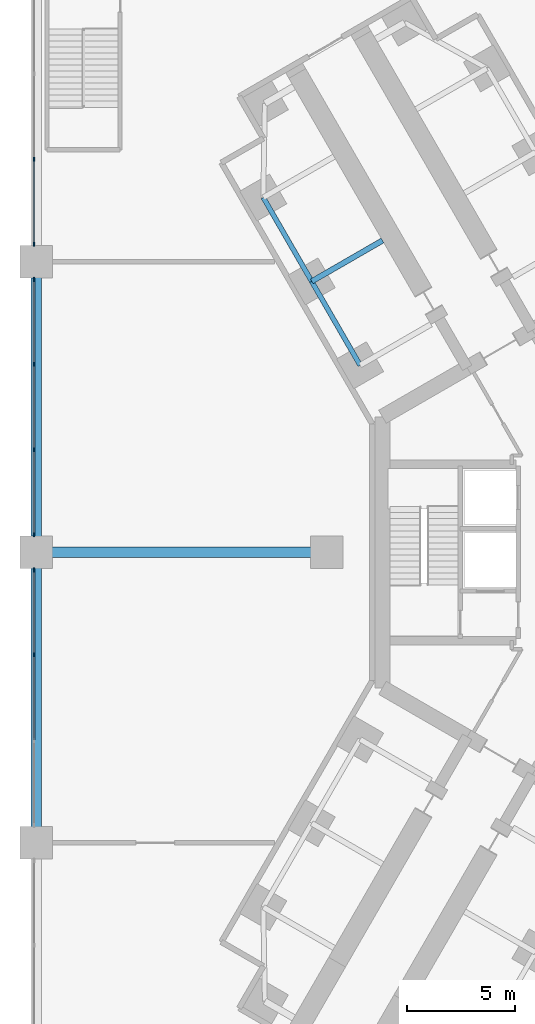
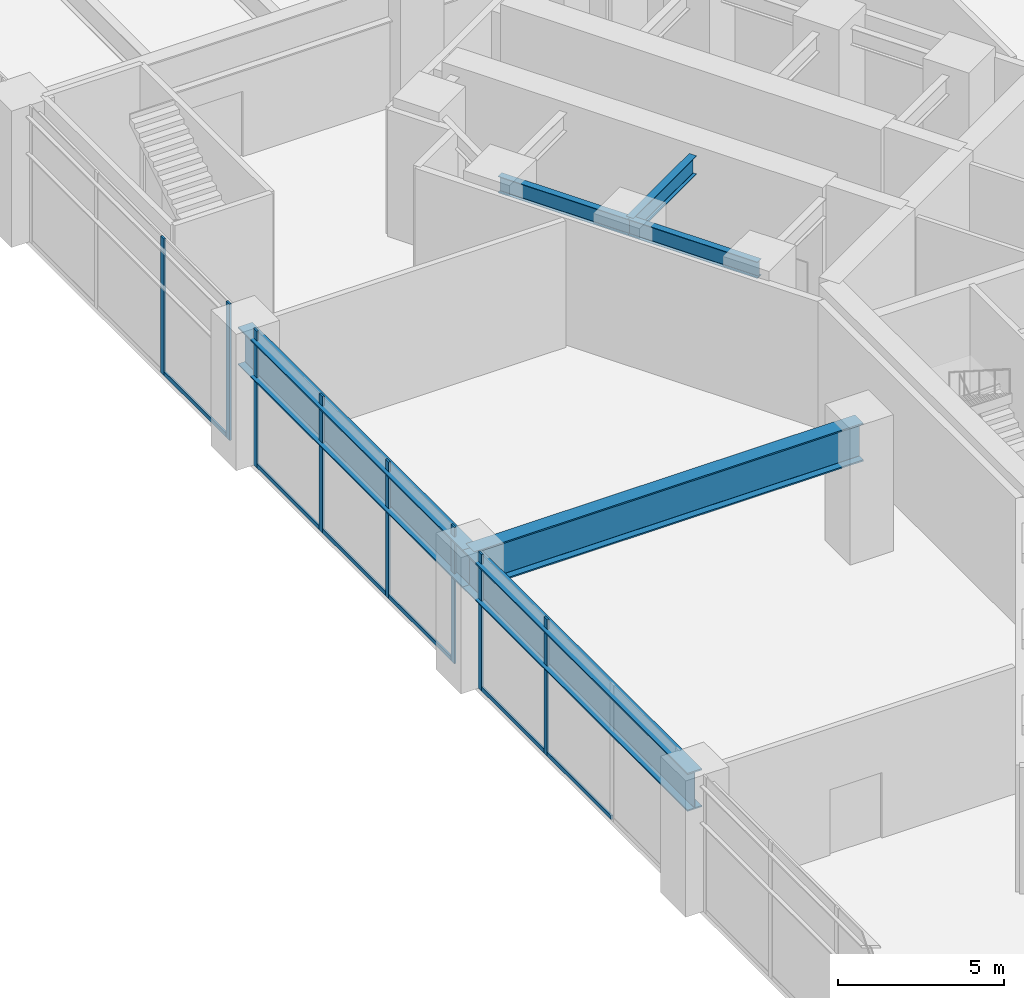
# One storey, part 6 of 32: 14 members, 6 beams, 3 elements without a shape of their own.
"""IFC4 building model written with IfcOpenShell, lengths in metres."""

from ifc_helpers import new_model, si_unit, direction, frame, origin, origin_2d, place, context, subcontext, project, spatial, rectangle, i_section, extrude, material, material_profile, profile_set, type_object, element, aggregate, save


model = new_model("IFC4")

# Units and contexts
model_context = context("Model", 3, precision=1e-05, world=origin(), true_north=direction((0.0, 1.0)))
body_context = subcontext(model_context, "Body", "Model", "MODEL_VIEW")
ifc_project = project(units=[si_unit("LENGTHUNIT", "METRE"), si_unit("AREAUNIT", "SQUARE_METRE"), si_unit("VOLUMEUNIT", "CUBIC_METRE"), si_unit("PLANEANGLEUNIT", "RADIAN"), si_unit("MASSUNIT", "GRAM", prefix="KILO")], contexts=[model_context])

# Site, building, storey
site_placement = place(None, origin())
site = spatial("IfcSite", under=ifc_project, at=site_placement, CompositionType="ELEMENT")
building_placement = place(site_placement, origin())
building = spatial("IfcBuilding", under=site, at=building_placement, Name="Upepo Twin Towers", CompositionType="ELEMENT")
storey_placement = place(building_placement, frame((0.0, 0.0, 10.5)))
storey = spatial("IfcBuildingStorey", under=building, at=storey_placement, Name="L02", CompositionType="ELEMENT", Elevation=10.5)

# Beams
ifc_material_1 = material(Name="Steel S355", Category="steel")
ifc_material_profile_1 = material_profile(ifc_material_1, i_section(OverallWidth=0.5, OverallDepth=1.39990234375, WebThickness=0.02490234375, FlangeThickness=0.050048828125, FilletRadius=0.008056640625, at=origin_2d()), Name="PG 1400x500x25x50")
ifc_profile_set_1 = profile_set([ifc_material_profile_1], Name="Steel S355")
beam_type_1 = type_object("IfcBeamType", Name="Beam PG 1400x500x25x50", PredefinedType="BEAM", material=ifc_profile_set_1)
for number, where, z_axis, x_axis, name in (
    (1, (-27.0, 0.0, 3.949951171875), (1.0, 0.0, 0.0), (0.0, 1.0, 0.0), "Podium girder D/1-2"),
    (2, (-27.0, -13.5, 3.949951171875), (0.0, 1.0, 0.0), (-1.0, 0.0, 0.0), "Podium girder 1/C-D"),
    (3, (-27.0, 0.0, 3.949951171875), (0.0, 1.0, 0.0), (-1.0, 0.0, 0.0), "Podium girder 1/D-E"),
):
    element("IfcBeam", number, at=place(storey_placement, frame(where, z_axis=z_axis, x_axis=x_axis)), inside=storey, type_object=beam_type_1, Name=name, PredefinedType="BEAM", context=body_context, shape_type="SweptSolid", body=[
        extrude(i_section(OverallWidth=0.5, OverallDepth=1.39990234375, WebThickness=0.02490234375, FlangeThickness=0.050048828125, FilletRadius=0.008056640625, at=origin_2d()), origin(), (0.0, 0.0, 1.0), 13.5),
    ])
ifc_material_2 = material(Name="Steel S355", Category="steel")
ifc_material_profile_2 = material_profile(ifc_material_2, i_section(OverallWidth=0.228271484375, OverallDepth=0.607666015625, WebThickness=0.010986328125, FlangeThickness=0.017333984375, FilletRadius=0.0126953125, at=origin_2d()), Name="UB 610x229x113")
ifc_profile_set_2 = profile_set([ifc_material_profile_2], Name="Steel S355")
beam_type_2 = type_object("IfcBeamType", Name="Beam UB 610x229x113", PredefinedType="BEAM", material=ifc_profile_set_2)
beam_1_placement = place(storey_placement, frame((-11.946044921875, 8.69140625, 4.34619140625), z_axis=(-0.500013631625, 0.866017533419, 0.0), x_axis=(-0.866017533419, -0.500013631625, 0.0)))
element("IfcBeam", 4, at=beam_1_placement, inside=storey, type_object=beam_type_2, Name="T1 edge beam BL 13.5-18.0", PredefinedType="BEAM", context=body_context, shape_type="SweptSolid", body=[
    extrude(i_section(OverallWidth=0.228271484375, OverallDepth=0.607666015625, WebThickness=0.010986328125, FlangeThickness=0.017333984375, FilletRadius=0.0126953125, at=origin_2d()), origin(), (0.0, 0.0, 1.0), 4.499755859375),
])
beam_2_placement = place(storey_placement, frame((-14.196044921875, 12.58837890625, 4.34619140625), z_axis=(-0.499990139034, 0.866031096941, 0.0), x_axis=(-0.866031096941, -0.499990139034, 0.0)))
element("IfcBeam", 5, at=beam_2_placement, inside=storey, type_object=beam_type_2, Name="T1 edge beam BL 18.0-22.5", PredefinedType="BEAM", context=body_context, shape_type="SweptSolid", body=[
    extrude(i_section(OverallWidth=0.228271484375, OverallDepth=0.607666015625, WebThickness=0.010986328125, FlangeThickness=0.017333984375, FilletRadius=0.0126953125, at=origin_2d()), origin(), (0.0, 0.0, 1.0), 4.5),
])
ifc_material_3 = material(Name="Steel S355", Category="steel")
ifc_material_profile_3 = material_profile(ifc_material_3, i_section(OverallWidth=0.253662109375, OverallDepth=0.68359375, WebThickness=0.012451171875, FlangeThickness=0.01904296875, FilletRadius=0.01513671875, at=origin_2d()), Name="UB 686x254x140")
ifc_profile_set_3 = profile_set([ifc_material_profile_3], Name="Steel S355")
beam_type_3 = type_object("IfcBeamType", Name="Beam UB 686x254x140", PredefinedType="BEAM", material=ifc_profile_set_3)
beam_3_placement = place(storey_placement, frame((-14.196044921875, 12.58837890625, 4.308349609375), z_axis=(0.866000483506, 0.500043160704, 0.0), x_axis=(-0.500043160704, 0.866000483506, 0.0)))
element("IfcBeam", 6, at=beam_3_placement, inside=storey, type_object=beam_type_3, Name="T1 girder BL at 18.0", PredefinedType="BEAM", context=body_context, shape_type="SweptSolid", body=[
    extrude(i_section(OverallWidth=0.253662109375, OverallDepth=0.68359375, WebThickness=0.012451171875, FlangeThickness=0.01904296875, FilletRadius=0.01513671875, at=origin_2d()), origin(), (0.0, 0.0, 1.0), 3.800048828125),
])

# Curtain wall, members
ifc_material_4 = material(Name="Aluminium and clear glass", Category="aluminium")
curtain_wall_type = type_object("IfcCurtainWallType", Name="Podium curtain wall PW1", PredefinedType="NOTDEFINED", material=ifc_material_4)
curtain_wall_1_placement = place(storey_placement, origin())
curtain_wall_1 = element("IfcCurtainWall", 7, at=curtain_wall_1_placement, inside=storey, type_object=curtain_wall_type, Name="Podium L02 curtain wall W2", PredefinedType="NOTDEFINED")
ifc_material_5 = material(Name="Aluminium mullion", Category="aluminium")
ifc_material_profile_4 = material_profile(ifc_material_5, rectangle(XDim=0.06494140625, YDim=0.199951171875, at=origin_2d()), Name="MULLION 65x200 PODIUM")
ifc_profile_set_4 = profile_set([ifc_material_profile_4], Name="Aluminium mullion")
member_type_1 = type_object("IfcMemberType", Name="Mullion 65x200 PW1", PredefinedType="MULLION", material=ifc_profile_set_4)
member_1_placement = place(storey_placement, frame((-27.10009765625, 18.26171875, 0.0), z_axis=(0.0, 0.0, 1.0), x_axis=(1.0, 0.0, 0.0)))
member_1 = element("IfcMember", 8, at=member_1_placement, type_object=member_type_1, Name="Podium L02 curtain wall W2 mullion 3", PredefinedType="MULLION", context=body_context, shape_type="SweptSolid", body=[
    extrude(rectangle(XDim=0.06494140625, YDim=0.199951171875, at=origin_2d()), origin(), (0.0, 0.0, 1.0), 5.0),
])
member_2_placement = place(storey_placement, frame((-27.10009765625, 14.3173828125, 0.0), z_axis=(0.0, 0.0, 1.0), x_axis=(1.0, 0.0, 0.0)))
member_2 = element("IfcMember", 9, at=member_2_placement, type_object=member_type_1, Name="Podium L02 curtain wall W2 mullion 4", PredefinedType="MULLION", context=body_context, shape_type="SweptSolid", body=[
    extrude(rectangle(XDim=0.06494140625, YDim=0.199951171875, at=origin_2d()), origin(), (0.0, 0.0, 1.0), 5.0),
])

curtain_wall_2_placement = place(storey_placement, origin())
curtain_wall_2 = element("IfcCurtainWall", 10, at=curtain_wall_2_placement, inside=storey, type_object=curtain_wall_type, Name="Podium L02 curtain wall W3", PredefinedType="NOTDEFINED")
member_3_placement = place(storey_placement, frame((-27.10009765625, 12.6826171875, 0.0), z_axis=(0.0, 0.0, 1.0), x_axis=(1.0, 0.0, 0.0)))
member_3 = element("IfcMember", 11, at=member_3_placement, type_object=member_type_1, Name="Podium L02 curtain wall W3 mullion 1", PredefinedType="MULLION", context=body_context, shape_type="SweptSolid", body=[
    extrude(rectangle(XDim=0.06494140625, YDim=0.199951171875, at=origin_2d()), origin(), (0.0, 0.0, 1.0), 5.0),
])
member_4_placement = place(storey_placement, frame((-27.10009765625, 8.73828125, 0.0), z_axis=(0.0, 0.0, 1.0), x_axis=(1.0, 0.0, 0.0)))
member_4 = element("IfcMember", 12, at=member_4_placement, type_object=member_type_1, Name="Podium L02 curtain wall W3 mullion 2", PredefinedType="MULLION", context=body_context, shape_type="SweptSolid", body=[
    extrude(rectangle(XDim=0.06494140625, YDim=0.199951171875, at=origin_2d()), origin(), (0.0, 0.0, 1.0), 5.0),
])
member_5_placement = place(storey_placement, frame((-27.10009765625, 4.76171875, 0.0), z_axis=(0.0, 0.0, 1.0), x_axis=(1.0, 0.0, 0.0)))
member_5 = element("IfcMember", 13, at=member_5_placement, type_object=member_type_1, Name="Podium L02 curtain wall W3 mullion 3", PredefinedType="MULLION", context=body_context, shape_type="SweptSolid", body=[
    extrude(rectangle(XDim=0.06494140625, YDim=0.199951171875, at=origin_2d()), origin(), (0.0, 0.0, 1.0), 5.0),
])
member_6_placement = place(storey_placement, frame((-27.10009765625, 0.8173828125, 0.0), z_axis=(0.0, 0.0, 1.0), x_axis=(1.0, 0.0, 0.0)))
member_6 = element("IfcMember", 14, at=member_6_placement, type_object=member_type_1, Name="Podium L02 curtain wall W3 mullion 4", PredefinedType="MULLION", context=body_context, shape_type="SweptSolid", body=[
    extrude(rectangle(XDim=0.06494140625, YDim=0.199951171875, at=origin_2d()), origin(), (0.0, 0.0, 1.0), 5.0),
])

curtain_wall_3_placement = place(storey_placement, origin())
curtain_wall_3 = element("IfcCurtainWall", 15, at=curtain_wall_3_placement, inside=storey, type_object=curtain_wall_type, Name="Podium L02 curtain wall W4", PredefinedType="NOTDEFINED")
member_7_placement = place(storey_placement, frame((-27.10009765625, -0.8173828125, 0.0), z_axis=(0.0, 0.0, 1.0), x_axis=(1.0, 0.0, 0.0)))
member_7 = element("IfcMember", 16, at=member_7_placement, type_object=member_type_1, Name="Podium L02 curtain wall W4 mullion 1", PredefinedType="MULLION", context=body_context, shape_type="SweptSolid", body=[
    extrude(rectangle(XDim=0.06494140625, YDim=0.199951171875, at=origin_2d()), origin(), (0.0, 0.0, 1.0), 5.0),
])
member_8_placement = place(storey_placement, frame((-27.10009765625, -4.76171875, 0.0), z_axis=(0.0, 0.0, 1.0), x_axis=(1.0, 0.0, 0.0)))
member_8 = element("IfcMember", 17, at=member_8_placement, type_object=member_type_1, Name="Podium L02 curtain wall W4 mullion 2", PredefinedType="MULLION", context=body_context, shape_type="SweptSolid", body=[
    extrude(rectangle(XDim=0.06494140625, YDim=0.199951171875, at=origin_2d()), origin(), (0.0, 0.0, 1.0), 5.0),
])

# Member
ifc_material_6 = material(Name="Aluminium transom", Category="aluminium")
ifc_material_profile_5 = material_profile(ifc_material_6, rectangle(XDim=0.06494140625, YDim=0.14990234375, at=origin_2d()), Name="TRANSOM 65x150 PODIUM")
ifc_profile_set_5 = profile_set([ifc_material_profile_5], Name="Aluminium transom")
member_type_2 = type_object("IfcMemberType", Name="Transom 65x150 PW1", PredefinedType="USERDEFINED", material=ifc_profile_set_5)
member_9_placement = place(storey_placement, frame((-27.10009765625, 18.229248046875, 0.074951171875), z_axis=(0.0, -1.0, 0.0), x_axis=(1.0, 0.0, 0.0)))
member_9 = element("IfcMember", 18, at=member_9_placement, type_object=member_type_2, Name="Podium L02 curtain wall W2 transom 3", ObjectType="TRANSOM", PredefinedType="USERDEFINED", context=body_context, shape_type="SweptSolid", body=[
    extrude(rectangle(XDim=0.06494140625, YDim=0.14990234375, at=origin_2d()), origin(), (0.0, 0.0, 1.0), 3.879150390625),
])

aggregate(curtain_wall_1, [member_1, member_2, member_9])

member_10_placement = place(storey_placement, frame((-27.10009765625, 12.64990234375, 0.074951171875), z_axis=(0.0, -1.0, 0.0), x_axis=(1.0, 0.0, 0.0)))
member_10 = element("IfcMember", 19, at=member_10_placement, type_object=member_type_2, Name="Podium L02 curtain wall W3 transom 1", ObjectType="TRANSOM", PredefinedType="USERDEFINED", context=body_context, shape_type="SweptSolid", body=[
    extrude(rectangle(XDim=0.06494140625, YDim=0.14990234375, at=origin_2d()), origin(), (0.0, 0.0, 1.0), 3.879150390625),
])

member_11_placement = place(storey_placement, frame((-27.10009765625, 8.705810546875, 0.074951171875), z_axis=(0.0, -1.0, 0.0), x_axis=(1.0, 0.0, 0.0)))
member_11 = element("IfcMember", 20, at=member_11_placement, type_object=member_type_2, Name="Podium L02 curtain wall W3 transom 2", ObjectType="TRANSOM", PredefinedType="USERDEFINED", context=body_context, shape_type="SweptSolid", body=[
    extrude(rectangle(XDim=0.06494140625, YDim=0.14990234375, at=origin_2d()), origin(), (0.0, 0.0, 1.0), 3.91162109375),
])

member_12_placement = place(storey_placement, frame((-27.10009765625, 4.729248046875, 0.074951171875), z_axis=(0.0, -1.0, 0.0), x_axis=(1.0, 0.0, 0.0)))
member_12 = element("IfcMember", 21, at=member_12_placement, type_object=member_type_2, Name="Podium L02 curtain wall W3 transom 3", ObjectType="TRANSOM", PredefinedType="USERDEFINED", context=body_context, shape_type="SweptSolid", body=[
    extrude(rectangle(XDim=0.06494140625, YDim=0.14990234375, at=origin_2d()), origin(), (0.0, 0.0, 1.0), 3.879150390625),
])

aggregate(curtain_wall_2, [member_3, member_4, member_5, member_6, member_10, member_11, member_12])

member_13_placement = place(storey_placement, frame((-27.10009765625, -0.85009765625, 0.074951171875), z_axis=(0.0, -1.0, 0.0), x_axis=(1.0, 0.0, 0.0)))
member_13 = element("IfcMember", 22, at=member_13_placement, type_object=member_type_2, Name="Podium L02 curtain wall W4 transom 1", ObjectType="TRANSOM", PredefinedType="USERDEFINED", context=body_context, shape_type="SweptSolid", body=[
    extrude(rectangle(XDim=0.06494140625, YDim=0.14990234375, at=origin_2d()), origin(), (0.0, 0.0, 1.0), 3.879150390625),
])

member_14_placement = place(storey_placement, frame((-27.10009765625, -4.794189453125, 0.074951171875), z_axis=(0.0, -1.0, 0.0), x_axis=(1.0, 0.0, 0.0)))
member_14 = element("IfcMember", 23, at=member_14_placement, type_object=member_type_2, Name="Podium L02 curtain wall W4 transom 2", ObjectType="TRANSOM", PredefinedType="USERDEFINED", context=body_context, shape_type="SweptSolid", body=[
    extrude(rectangle(XDim=0.06494140625, YDim=0.14990234375, at=origin_2d()), origin(), (0.0, 0.0, 1.0), 3.91162109375),
])

aggregate(curtain_wall_3, [member_7, member_8, member_13, member_14])

save(model, "model.ifc")
